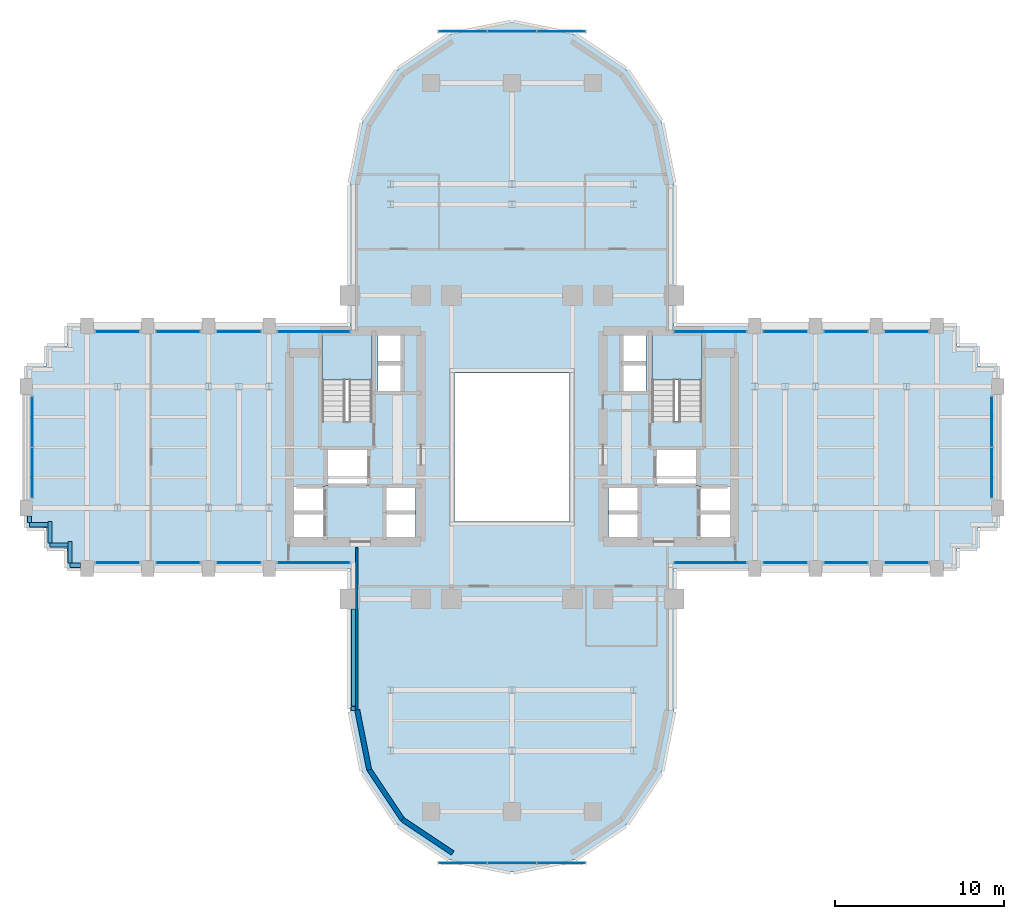
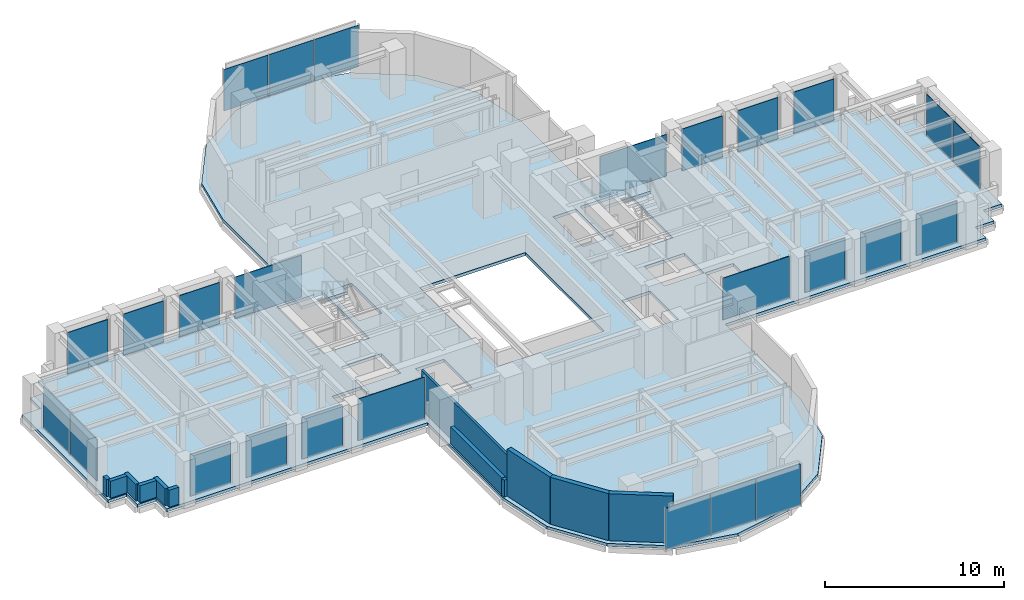
# One storey, part 9 of 16: 26 plates, 12 walls, 3 slabs, 22 elements without a shape of their own.
"""IFC4 building model written with IfcOpenShell, lengths in metres."""

from ifc_helpers import new_model, si_unit, direction, frame, frame_2d, origin, origin_2d, place, context, subcontext, project, spatial, polyline, rectangle, outline, extrude, source, transform, mapped, material, layer, layer_set, type_object, element, aggregate, save


model = new_model("IFC4")

# Units and contexts
model_context = context("Model", 3, precision=1e-05, world=origin(), true_north=direction((0.0, 1.0)))
body_context = subcontext(model_context, "Body", "Model", "MODEL_VIEW")
ifc_project = project(units=[si_unit("LENGTHUNIT", "METRE"), si_unit("AREAUNIT", "SQUARE_METRE"), si_unit("VOLUMEUNIT", "CUBIC_METRE"), si_unit("PLANEANGLEUNIT", "RADIAN"), si_unit("MASSUNIT", "GRAM", prefix="KILO")], contexts=[model_context])

# Site, building, storey
site_placement = place(None, origin())
site = spatial("IfcSite", under=ifc_project, at=site_placement, CompositionType="ELEMENT")
building_placement = place(site_placement, origin())
building = spatial("IfcBuilding", under=site, at=building_placement, Name="Keilestroom Media Tower", CompositionType="ELEMENT")
storey_placement = place(building_placement, frame((0.0, 0.0, 68.0)))
storey = spatial("IfcBuildingStorey", under=building, at=storey_placement, Name="L17", CompositionType="ELEMENT", Elevation=68.0)

# Slab
ifc_material_1 = material(Name="Concrete C50/60", Category="concrete")
ifc_layer_1 = layer(ifc_material_1, 0.199951171875)
ifc_layer_set_1 = layer_set([ifc_layer_1], Name="Concrete C50/60")
slab_type_1 = type_object("IfcSlabType", Name="Composite-Floor-Slab-200", PredefinedType="FLOOR", material=ifc_layer_set_1)
slab_1_placement = place(storey_placement, frame((0.0, 0.0, -0.199951171875)))
element("IfcSlab", 1, at=slab_1_placement, inside=storey, type_object=slab_type_1, Name="L17 Structural Composite Floor Slab", PredefinedType="FLOOR", context=body_context, shape_type="SweptSolid", body=[
    extrude(outline(polyline([(28.800048828125, -4.800048828125), (28.800048828125, 4.800048828125), (27.60009765625, 4.800048828125), (27.60009765625, 6.0), (26.39990234375, 6.0), (26.39990234375, 7.199951171875), (9.60009765625, 7.199951171875), (9.60009765625, 9.60009765625), (9.60009765625, 15.60009765625), (8.869140625, 19.273681640625), (6.7880859375, 22.38818359375), (3.673828125, 24.46923828125), (0.0, 25.199951171875), (-3.673828125, 24.46923828125), (-6.7880859375, 22.38818359375), (-8.869140625, 19.273681640625), (-9.60009765625, 15.60009765625), (-9.60009765625, 9.60009765625), (-9.60009765625, 7.199951171875), (-26.39990234375, 7.199951171875), (-26.39990234375, 6.0), (-27.60009765625, 6.0), (-27.60009765625, 4.800048828125), (-28.800048828125, 4.800048828125), (-28.800048828125, -4.800048828125), (-27.60009765625, -4.800048828125), (-27.60009765625, -6.0), (-26.39990234375, -6.0), (-26.39990234375, -7.199951171875), (-9.60009765625, -7.199951171875), (-9.60009765625, -9.60009765625), (-9.60009765625, -15.60009765625), (-8.869140625, -19.273681640625), (-6.7880859375, -22.38818359375), (-3.673828125, -24.46923828125), (0.0, -25.199951171875), (3.673828125, -24.46923828125), (6.7880859375, -22.38818359375), (8.869140625, -19.273681640625), (9.60009765625, -15.60009765625), (9.60009765625, -9.60009765625), (9.60009765625, -7.199951171875), (26.39990234375, -7.199951171875), (26.39990234375, -6.0), (27.60009765625, -6.0), (27.60009765625, -4.800048828125), (28.800048828125, -4.800048828125)]), holes=[polyline([(-12.919921875, -5.47998046875), (-12.919921875, -2.320068359375), (-11.080078125, -2.320068359375), (-11.080078125, -5.47998046875), (-12.919921875, -5.47998046875)]), polyline([(-11.260009765625, 1.544921875), (-11.260009765625, 6.760009765625), (-8.300048828125, 6.760009765625), (-8.300048828125, 1.544921875), (-11.260009765625, 1.544921875)]), polyline([(-11.050048828125, -2.280029296875), (-11.050048828125, -0.10009765625), (-8.47998046875, -0.10009765625), (-8.47998046875, -2.280029296875), (-11.050048828125, -2.280029296875)]), polyline([(-7.949951171875, 3.300048828125), (-7.949951171875, 6.64990234375), (-6.47998046875, 6.64990234375), (-6.47998046875, 3.300048828125), (-7.949951171875, 3.300048828125)]), polyline([(-7.56005859375, -5.47998046875), (-7.56005859375, -2.320068359375), (-5.719970703125, -2.320068359375), (-5.719970703125, -5.47998046875), (-7.56005859375, -5.47998046875)]), polyline([(-3.39990234375, -4.39990234375), (-3.39990234375, 4.39990234375), (3.39990234375, 4.39990234375), (3.39990234375, -4.39990234375), (-3.39990234375, -4.39990234375)]), polyline([(5.719970703125, -5.47998046875), (5.719970703125, -2.320068359375), (7.56005859375, -2.320068359375), (7.56005859375, -5.47998046875), (5.719970703125, -5.47998046875)]), polyline([(7.949951171875, 6.64990234375), (7.949951171875, 3.300048828125), (6.47998046875, 3.300048828125), (6.47998046875, 6.64990234375), (7.949951171875, 6.64990234375)]), polyline([(8.300048828125, 6.760009765625), (11.260009765625, 6.760009765625), (11.260009765625, 1.544921875), (8.300048828125, 1.544921875), (8.300048828125, 6.760009765625)]), polyline([(8.47998046875, -2.280029296875), (8.47998046875, -0.10009765625), (11.050048828125, -0.10009765625), (11.050048828125, -2.280029296875), (8.47998046875, -2.280029296875)]), polyline([(12.919921875, -5.47998046875), (11.080078125, -5.47998046875), (11.080078125, -2.320068359375), (12.919921875, -2.320068359375), (12.919921875, -5.47998046875)])]), origin(), (0.0, 0.0, 1.0), 0.199951171875),
])

# Stair, slab
ifc_material_2 = material(Name="Concrete C45/55", Category="concrete")
stair_type = type_object("IfcStairType", Name="Enclosed-Dog-Leg-Stair-ST-CORE", PredefinedType="HALF_TURN_STAIR", material=ifc_material_2)
stair_1_placement = place(storey_placement, origin())
stair_1 = element("IfcStair", 2, at=stair_1_placement, inside=storey, type_object=stair_type, Name="L17 West Core Escape Stair ST-1", PredefinedType="HALF_TURN_STAIR")
ifc_layer_2 = layer(ifc_material_2, 0.199951171875)
ifc_layer_set_2 = layer_set([ifc_layer_2], Name="Concrete C45/55")
slab_type_2 = type_object("IfcSlabType", Name="Stair-Intermediate-And-Top-Landing-Slab-200", PredefinedType="LANDING", material=ifc_layer_set_2)
slab_2_placement = place(storey_placement, frame((0.0, 0.0, 1.5)))
slab_2 = element("IfcSlab", 3, at=slab_2_placement, type_object=slab_type_2, Name="ST-1 landing 1", PredefinedType="LANDING", context=body_context, shape_type="SweptSolid", body=[
    extrude(outline(polyline([(-8.300048828125, 3.99609375), (-8.300048828125, 6.760009765625), (-11.260009765625, 6.760009765625), (-11.260009765625, 3.99609375), (-8.300048828125, 3.99609375)])), origin(), (0.0, 0.0, 1.0), 0.199951171875),
])
aggregate(stair_1, [slab_2])

stair_2_placement = place(storey_placement, origin())
stair_2 = element("IfcStair", 4, at=stair_2_placement, inside=storey, type_object=stair_type, Name="L17 East Core Escape Stair ST-2", PredefinedType="HALF_TURN_STAIR")
slab_3_placement = place(storey_placement, frame((0.0, 0.0, 1.5)))
slab_3 = element("IfcSlab", 5, at=slab_3_placement, type_object=slab_type_2, Name="ST-2 landing 1", PredefinedType="LANDING", context=body_context, shape_type="SweptSolid", body=[
    extrude(outline(polyline([(11.260009765625, 3.99609375), (11.260009765625, 6.760009765625), (8.300048828125, 6.760009765625), (8.300048828125, 3.99609375), (11.260009765625, 3.99609375)])), origin(), (0.0, 0.0, 1.0), 0.199951171875),
])
aggregate(stair_2, [slab_3])

# Curtain wall, plates
ifc_material_3 = material(Name="Anodised Aluminium Alloy", Category="aluminium")
curtain_wall_type_1 = type_object("IfcCurtainWallType", Name="Unitised-Curtain-Wall-CW-1", PredefinedType="NOTDEFINED", material=ifc_material_3)
curtain_wall_1_placement = place(storey_placement, origin())
curtain_wall_1 = element("IfcCurtainWall", 6, at=curtain_wall_1_placement, inside=storey, type_object=curtain_wall_type_1, Name="L17 Curtain Wall CW-1 CW-L17-W-1", PredefinedType="NOTDEFINED")
ifc_material_4 = material(Name="Double Glazed Low-E Unit", Category="glass")
ifc_layer_3 = layer(ifc_material_4, 0.0439453125)
ifc_layer_set_3 = layer_set([ifc_layer_3], Name="Double Glazed Low-E Unit")
plate_type_1 = type_object("IfcPlateType", Name="Insulated-Curtain-Wall-Glazing-Panel-CW-1", PredefinedType="CURTAIN_PANEL", material=ifc_layer_set_3)
shared_shape_1 = source(origin(), body_context, "Body", "SweptSolid", [
    extrude(rectangle(XDim=2.968017578125, YDim=0.0439453125, at=origin_2d()), origin(), (0.0, 0.0, 1.0), 2.833984375),
])
plate_1_placement = place(storey_placement, frame((-28.449951171875, -1.514892578125, 0.072998046875), z_axis=(0.0, 0.0, 1.0), x_axis=(0.0, 1.0, 0.0)))
plate_1 = element("IfcPlate", 7, at=plate_1_placement, type_object=plate_type_1, Name="CW-1 Unitised Glazing 00", PredefinedType="CURTAIN_PANEL", context=body_context, shape_type="MappedRepresentation", body=[
    mapped(shared_shape_1, transform((0.0, 0.0, 0.0), x_axis=(1.0, 0.0, 0.0), y_axis=(0.0, 1.0, 0.0), z_axis=(0.0, 0.0, 1.0), scale=1.0)),
])
plate_2_placement = place(storey_placement, frame((-28.449951171875, 1.514892578125, 0.072998046875), z_axis=(0.0, 0.0, 1.0), x_axis=(0.0, 1.0, 0.0)))
plate_2 = element("IfcPlate", 8, at=plate_2_placement, type_object=plate_type_1, Name="CW-1 Unitised Glazing 01", PredefinedType="CURTAIN_PANEL", context=body_context, shape_type="MappedRepresentation", body=[
    mapped(shared_shape_1, transform((0.0, 0.0, 0.0), x_axis=(1.0, 0.0, 0.0), y_axis=(0.0, 1.0, 0.0), z_axis=(0.0, 0.0, 1.0), scale=1.0)),
])
aggregate(curtain_wall_1, [plate_1, plate_2])

curtain_wall_2_placement = place(storey_placement, origin())
curtain_wall_2 = element("IfcCurtainWall", 9, at=curtain_wall_2_placement, inside=storey, type_object=curtain_wall_type_1, Name="L17 Curtain Wall CW-1 CW-L17-E-1", PredefinedType="NOTDEFINED")
plate_3_placement = place(storey_placement, frame((28.449951171875, -1.514892578125, 0.072998046875), z_axis=(0.0, 0.0, 1.0), x_axis=(0.0, 1.0, 0.0)))
plate_3 = element("IfcPlate", 10, at=plate_3_placement, type_object=plate_type_1, Name="CW-1 Unitised Glazing 00", PredefinedType="CURTAIN_PANEL", context=body_context, shape_type="MappedRepresentation", body=[
    mapped(shared_shape_1, transform((0.0, 0.0, 0.0), x_axis=(1.0, 0.0, 0.0), y_axis=(0.0, 1.0, 0.0), z_axis=(0.0, 0.0, 1.0), scale=1.0)),
])
plate_4_placement = place(storey_placement, frame((28.449951171875, 1.514892578125, 0.072998046875), z_axis=(0.0, 0.0, 1.0), x_axis=(0.0, 1.0, 0.0)))
plate_4 = element("IfcPlate", 11, at=plate_4_placement, type_object=plate_type_1, Name="CW-1 Unitised Glazing 01", PredefinedType="CURTAIN_PANEL", context=body_context, shape_type="MappedRepresentation", body=[
    mapped(shared_shape_1, transform((0.0, 0.0, 0.0), x_axis=(1.0, 0.0, 0.0), y_axis=(0.0, 1.0, 0.0), z_axis=(0.0, 0.0, 1.0), scale=1.0)),
])
aggregate(curtain_wall_2, [plate_3, plate_4])

# Curtain wall, plate
curtain_wall_3_placement = place(storey_placement, origin())
curtain_wall_3 = element("IfcCurtainWall", 12, at=curtain_wall_3_placement, inside=storey, type_object=curtain_wall_type_1, Name="L17 Curtain Wall CW-1 CW-L17-NW-1", PredefinedType="NOTDEFINED")
shared_shape_2 = source(origin(), body_context, "Body", "SweptSolid", [
    extrude(rectangle(XDim=2.597900390625, YDim=0.0439453125, at=origin_2d()), origin(), (0.0, 0.0, 1.0), 2.833984375),
])
plate_5_placement = place(storey_placement, frame((-23.39990234375, 6.85009765625, 0.072998046875), z_axis=(0.0, 0.0, 1.0), x_axis=(1.0, 0.0, 0.0)))
plate_5 = element("IfcPlate", 13, at=plate_5_placement, type_object=plate_type_1, Name="CW-1 Unitised Glazing 00", PredefinedType="CURTAIN_PANEL", context=body_context, shape_type="MappedRepresentation", body=[
    mapped(shared_shape_2, transform((0.0, 0.0, 0.0), x_axis=(1.0, 0.0, 0.0), y_axis=(0.0, 1.0, 0.0), z_axis=(0.0, 0.0, 1.0), scale=1.0)),
])
aggregate(curtain_wall_3, [plate_5])

curtain_wall_4_placement = place(storey_placement, origin())
curtain_wall_4 = element("IfcCurtainWall", 14, at=curtain_wall_4_placement, inside=storey, type_object=curtain_wall_type_1, Name="L17 Curtain Wall CW-1 CW-L17-NW-2", PredefinedType="NOTDEFINED")
plate_6_placement = place(storey_placement, frame((-19.800048828125, 6.85009765625, 0.072998046875), z_axis=(0.0, 0.0, 1.0), x_axis=(1.0, 0.0, 0.0)))
plate_6 = element("IfcPlate", 15, at=plate_6_placement, type_object=plate_type_1, Name="CW-1 Unitised Glazing 00", PredefinedType="CURTAIN_PANEL", context=body_context, shape_type="MappedRepresentation", body=[
    mapped(shared_shape_2, transform((0.0, 0.0, 0.0), x_axis=(1.0, 0.0, 0.0), y_axis=(0.0, 1.0, 0.0), z_axis=(0.0, 0.0, 1.0), scale=1.0)),
])
aggregate(curtain_wall_4, [plate_6])

curtain_wall_5_placement = place(storey_placement, origin())
curtain_wall_5 = element("IfcCurtainWall", 16, at=curtain_wall_5_placement, inside=storey, type_object=curtain_wall_type_1, Name="L17 Curtain Wall CW-1 CW-L17-NW-3", PredefinedType="NOTDEFINED")
plate_7_placement = place(storey_placement, frame((-16.199951171875, 6.85009765625, 0.072998046875), z_axis=(0.0, 0.0, 1.0), x_axis=(1.0, 0.0, 0.0)))
plate_7 = element("IfcPlate", 17, at=plate_7_placement, type_object=plate_type_1, Name="CW-1 Unitised Glazing 00", PredefinedType="CURTAIN_PANEL", context=body_context, shape_type="MappedRepresentation", body=[
    mapped(shared_shape_2, transform((0.0, 0.0, 0.0), x_axis=(1.0, 0.0, 0.0), y_axis=(0.0, 1.0, 0.0), z_axis=(0.0, 0.0, 1.0), scale=1.0)),
])
aggregate(curtain_wall_5, [plate_7])

curtain_wall_6_placement = place(storey_placement, origin())
curtain_wall_6 = element("IfcCurtainWall", 18, at=curtain_wall_6_placement, inside=storey, type_object=curtain_wall_type_1, Name="L17 Curtain Wall CW-1 CW-L17-NE-2", PredefinedType="NOTDEFINED")
plate_8_placement = place(storey_placement, frame((16.199951171875, 6.85009765625, 0.072998046875), z_axis=(0.0, 0.0, 1.0), x_axis=(1.0, 0.0, 0.0)))
plate_8 = element("IfcPlate", 19, at=plate_8_placement, type_object=plate_type_1, Name="CW-1 Unitised Glazing 00", PredefinedType="CURTAIN_PANEL", context=body_context, shape_type="MappedRepresentation", body=[
    mapped(shared_shape_2, transform((0.0, 0.0, 0.0), x_axis=(1.0, 0.0, 0.0), y_axis=(0.0, 1.0, 0.0), z_axis=(0.0, 0.0, 1.0), scale=1.0)),
])
aggregate(curtain_wall_6, [plate_8])

curtain_wall_7_placement = place(storey_placement, origin())
curtain_wall_7 = element("IfcCurtainWall", 20, at=curtain_wall_7_placement, inside=storey, type_object=curtain_wall_type_1, Name="L17 Curtain Wall CW-1 CW-L17-NE-3", PredefinedType="NOTDEFINED")
plate_9_placement = place(storey_placement, frame((19.800048828125, 6.85009765625, 0.072998046875), z_axis=(0.0, 0.0, 1.0), x_axis=(1.0, 0.0, 0.0)))
plate_9 = element("IfcPlate", 21, at=plate_9_placement, type_object=plate_type_1, Name="CW-1 Unitised Glazing 00", PredefinedType="CURTAIN_PANEL", context=body_context, shape_type="MappedRepresentation", body=[
    mapped(shared_shape_2, transform((0.0, 0.0, 0.0), x_axis=(1.0, 0.0, 0.0), y_axis=(0.0, 1.0, 0.0), z_axis=(0.0, 0.0, 1.0), scale=1.0)),
])
aggregate(curtain_wall_7, [plate_9])

curtain_wall_8_placement = place(storey_placement, origin())
curtain_wall_8 = element("IfcCurtainWall", 22, at=curtain_wall_8_placement, inside=storey, type_object=curtain_wall_type_1, Name="L17 Curtain Wall CW-1 CW-L17-NE-4", PredefinedType="NOTDEFINED")
plate_10_placement = place(storey_placement, frame((23.39990234375, 6.85009765625, 0.072998046875), z_axis=(0.0, 0.0, 1.0), x_axis=(1.0, 0.0, 0.0)))
plate_10 = element("IfcPlate", 23, at=plate_10_placement, type_object=plate_type_1, Name="CW-1 Unitised Glazing 00", PredefinedType="CURTAIN_PANEL", context=body_context, shape_type="MappedRepresentation", body=[
    mapped(shared_shape_2, transform((0.0, 0.0, 0.0), x_axis=(1.0, 0.0, 0.0), y_axis=(0.0, 1.0, 0.0), z_axis=(0.0, 0.0, 1.0), scale=1.0)),
])
aggregate(curtain_wall_8, [plate_10])

curtain_wall_9_placement = place(storey_placement, origin())
curtain_wall_9 = element("IfcCurtainWall", 24, at=curtain_wall_9_placement, inside=storey, type_object=curtain_wall_type_1, Name="L17 Curtain Wall CW-1 CW-L17-SW-1", PredefinedType="NOTDEFINED")
plate_11_placement = place(storey_placement, frame((-23.39990234375, -6.85009765625, 0.072998046875), z_axis=(0.0, 0.0, 1.0), x_axis=(1.0, 0.0, 0.0)))
plate_11 = element("IfcPlate", 25, at=plate_11_placement, type_object=plate_type_1, Name="CW-1 Unitised Glazing 00", PredefinedType="CURTAIN_PANEL", context=body_context, shape_type="MappedRepresentation", body=[
    mapped(shared_shape_2, transform((0.0, 0.0, 0.0), x_axis=(1.0, 0.0, 0.0), y_axis=(0.0, 1.0, 0.0), z_axis=(0.0, 0.0, 1.0), scale=1.0)),
])
aggregate(curtain_wall_9, [plate_11])

curtain_wall_10_placement = place(storey_placement, origin())
curtain_wall_10 = element("IfcCurtainWall", 26, at=curtain_wall_10_placement, inside=storey, type_object=curtain_wall_type_1, Name="L17 Curtain Wall CW-1 CW-L17-SW-2", PredefinedType="NOTDEFINED")
plate_12_placement = place(storey_placement, frame((-19.800048828125, -6.85009765625, 0.072998046875), z_axis=(0.0, 0.0, 1.0), x_axis=(1.0, 0.0, 0.0)))
plate_12 = element("IfcPlate", 27, at=plate_12_placement, type_object=plate_type_1, Name="CW-1 Unitised Glazing 00", PredefinedType="CURTAIN_PANEL", context=body_context, shape_type="MappedRepresentation", body=[
    mapped(shared_shape_2, transform((0.0, 0.0, 0.0), x_axis=(1.0, 0.0, 0.0), y_axis=(0.0, 1.0, 0.0), z_axis=(0.0, 0.0, 1.0), scale=1.0)),
])
aggregate(curtain_wall_10, [plate_12])

curtain_wall_11_placement = place(storey_placement, origin())
curtain_wall_11 = element("IfcCurtainWall", 28, at=curtain_wall_11_placement, inside=storey, type_object=curtain_wall_type_1, Name="L17 Curtain Wall CW-1 CW-L17-SW-3", PredefinedType="NOTDEFINED")
plate_13_placement = place(storey_placement, frame((-16.199951171875, -6.85009765625, 0.072998046875), z_axis=(0.0, 0.0, 1.0), x_axis=(1.0, 0.0, 0.0)))
plate_13 = element("IfcPlate", 29, at=plate_13_placement, type_object=plate_type_1, Name="CW-1 Unitised Glazing 00", PredefinedType="CURTAIN_PANEL", context=body_context, shape_type="MappedRepresentation", body=[
    mapped(shared_shape_2, transform((0.0, 0.0, 0.0), x_axis=(1.0, 0.0, 0.0), y_axis=(0.0, 1.0, 0.0), z_axis=(0.0, 0.0, 1.0), scale=1.0)),
])
aggregate(curtain_wall_11, [plate_13])

curtain_wall_12_placement = place(storey_placement, origin())
curtain_wall_12 = element("IfcCurtainWall", 30, at=curtain_wall_12_placement, inside=storey, type_object=curtain_wall_type_1, Name="L17 Curtain Wall CW-1 CW-L17-SE-2", PredefinedType="NOTDEFINED")
plate_14_placement = place(storey_placement, frame((16.199951171875, -6.85009765625, 0.072998046875), z_axis=(0.0, 0.0, 1.0), x_axis=(1.0, 0.0, 0.0)))
plate_14 = element("IfcPlate", 31, at=plate_14_placement, type_object=plate_type_1, Name="CW-1 Unitised Glazing 00", PredefinedType="CURTAIN_PANEL", context=body_context, shape_type="MappedRepresentation", body=[
    mapped(shared_shape_2, transform((0.0, 0.0, 0.0), x_axis=(1.0, 0.0, 0.0), y_axis=(0.0, 1.0, 0.0), z_axis=(0.0, 0.0, 1.0), scale=1.0)),
])
aggregate(curtain_wall_12, [plate_14])

curtain_wall_13_placement = place(storey_placement, origin())
curtain_wall_13 = element("IfcCurtainWall", 32, at=curtain_wall_13_placement, inside=storey, type_object=curtain_wall_type_1, Name="L17 Curtain Wall CW-1 CW-L17-SE-3", PredefinedType="NOTDEFINED")
plate_15_placement = place(storey_placement, frame((19.800048828125, -6.85009765625, 0.072998046875), z_axis=(0.0, 0.0, 1.0), x_axis=(1.0, 0.0, 0.0)))
plate_15 = element("IfcPlate", 33, at=plate_15_placement, type_object=plate_type_1, Name="CW-1 Unitised Glazing 00", PredefinedType="CURTAIN_PANEL", context=body_context, shape_type="MappedRepresentation", body=[
    mapped(shared_shape_2, transform((0.0, 0.0, 0.0), x_axis=(1.0, 0.0, 0.0), y_axis=(0.0, 1.0, 0.0), z_axis=(0.0, 0.0, 1.0), scale=1.0)),
])
aggregate(curtain_wall_13, [plate_15])

curtain_wall_14_placement = place(storey_placement, origin())
curtain_wall_14 = element("IfcCurtainWall", 34, at=curtain_wall_14_placement, inside=storey, type_object=curtain_wall_type_1, Name="L17 Curtain Wall CW-1 CW-L17-SE-4", PredefinedType="NOTDEFINED")
plate_16_placement = place(storey_placement, frame((23.39990234375, -6.85009765625, 0.072998046875), z_axis=(0.0, 0.0, 1.0), x_axis=(1.0, 0.0, 0.0)))
plate_16 = element("IfcPlate", 35, at=plate_16_placement, type_object=plate_type_1, Name="CW-1 Unitised Glazing 00", PredefinedType="CURTAIN_PANEL", context=body_context, shape_type="MappedRepresentation", body=[
    mapped(shared_shape_2, transform((0.0, 0.0, 0.0), x_axis=(1.0, 0.0, 0.0), y_axis=(0.0, 1.0, 0.0), z_axis=(0.0, 0.0, 1.0), scale=1.0)),
])
aggregate(curtain_wall_14, [plate_16])

curtain_wall_15_placement = place(storey_placement, origin())
curtain_wall_15 = element("IfcCurtainWall", 36, at=curtain_wall_15_placement, inside=storey, type_object=curtain_wall_type_1, Name="L17 Curtain Wall CW-1 CW-L17-NW-4", PredefinedType="NOTDEFINED")
shared_shape_3 = source(origin(), body_context, "Body", "SweptSolid", [
    extrude(rectangle(XDim=4.282958984375, YDim=0.0439453125, at=origin_2d()), origin(), (0.0, 0.0, 1.0), 2.833984375),
])
plate_17_placement = place(storey_placement, frame((-11.757568359375, 6.85009765625, 0.072998046875), z_axis=(0.0, 0.0, 1.0), x_axis=(1.0, 0.0, 0.0)))
plate_17 = element("IfcPlate", 37, at=plate_17_placement, type_object=plate_type_1, Name="CW-1 Unitised Glazing 00", PredefinedType="CURTAIN_PANEL", context=body_context, shape_type="MappedRepresentation", body=[
    mapped(shared_shape_3, transform((0.0, 0.0, 0.0), x_axis=(1.0, 0.0, 0.0), y_axis=(0.0, 1.0, 0.0), z_axis=(0.0, 0.0, 1.0), scale=1.0)),
])
aggregate(curtain_wall_15, [plate_17])

curtain_wall_16_placement = place(storey_placement, origin())
curtain_wall_16 = element("IfcCurtainWall", 38, at=curtain_wall_16_placement, inside=storey, type_object=curtain_wall_type_1, Name="L17 Curtain Wall CW-1 CW-L17-NE-1", PredefinedType="NOTDEFINED")
plate_18_placement = place(storey_placement, frame((11.757568359375, 6.85009765625, 0.072998046875), z_axis=(0.0, 0.0, 1.0), x_axis=(1.0, 0.0, 0.0)))
plate_18 = element("IfcPlate", 39, at=plate_18_placement, type_object=plate_type_1, Name="CW-1 Unitised Glazing 00", PredefinedType="CURTAIN_PANEL", context=body_context, shape_type="MappedRepresentation", body=[
    mapped(shared_shape_3, transform((0.0, 0.0, 0.0), x_axis=(1.0, 0.0, 0.0), y_axis=(0.0, 1.0, 0.0), z_axis=(0.0, 0.0, 1.0), scale=1.0)),
])
aggregate(curtain_wall_16, [plate_18])

curtain_wall_17_placement = place(storey_placement, origin())
curtain_wall_17 = element("IfcCurtainWall", 40, at=curtain_wall_17_placement, inside=storey, type_object=curtain_wall_type_1, Name="L17 Curtain Wall CW-1 CW-L17-SW-4", PredefinedType="NOTDEFINED")
plate_19_placement = place(storey_placement, frame((-11.757568359375, -6.85009765625, 0.072998046875), z_axis=(0.0, 0.0, 1.0), x_axis=(1.0, 0.0, 0.0)))
plate_19 = element("IfcPlate", 41, at=plate_19_placement, type_object=plate_type_1, Name="CW-1 Unitised Glazing 00", PredefinedType="CURTAIN_PANEL", context=body_context, shape_type="MappedRepresentation", body=[
    mapped(shared_shape_3, transform((0.0, 0.0, 0.0), x_axis=(1.0, 0.0, 0.0), y_axis=(0.0, 1.0, 0.0), z_axis=(0.0, 0.0, 1.0), scale=1.0)),
])
aggregate(curtain_wall_17, [plate_19])

curtain_wall_18_placement = place(storey_placement, origin())
curtain_wall_18 = element("IfcCurtainWall", 42, at=curtain_wall_18_placement, inside=storey, type_object=curtain_wall_type_1, Name="L17 Curtain Wall CW-1 CW-L17-SE-1", PredefinedType="NOTDEFINED")
plate_20_placement = place(storey_placement, frame((11.757568359375, -6.85009765625, 0.072998046875), z_axis=(0.0, 0.0, 1.0), x_axis=(1.0, 0.0, 0.0)))
plate_20 = element("IfcPlate", 43, at=plate_20_placement, type_object=plate_type_1, Name="CW-1 Unitised Glazing 00", PredefinedType="CURTAIN_PANEL", context=body_context, shape_type="MappedRepresentation", body=[
    mapped(shared_shape_3, transform((0.0, 0.0, 0.0), x_axis=(1.0, 0.0, 0.0), y_axis=(0.0, 1.0, 0.0), z_axis=(0.0, 0.0, 1.0), scale=1.0)),
])
aggregate(curtain_wall_18, [plate_20])

# Curtain wall, plates
curtain_wall_type_2 = type_object("IfcCurtainWallType", Name="Unitised-Curtain-Wall-CW-6", PredefinedType="NOTDEFINED", material=ifc_material_3)
curtain_wall_19_placement = place(storey_placement, origin())
curtain_wall_19 = element("IfcCurtainWall", 44, at=curtain_wall_19_placement, inside=storey, type_object=curtain_wall_type_2, Name="L17 Curtain Wall CW-6 CW-L17-LN-1", PredefinedType="NOTDEFINED")
ifc_material_5 = material(Name="Curved-Facet Triple Glazed Unit", Category="glass")
ifc_layer_4 = layer(ifc_material_5, 0.033935546875)
ifc_layer_set_4 = layer_set([ifc_layer_4], Name="Curved-Facet Triple Glazed Unit")
plate_type_2 = type_object("IfcPlateType", Name="Insulated-Curtain-Wall-Glazing-Panel-CW-6", PredefinedType="CURTAIN_PANEL", material=ifc_layer_set_4)
shared_shape_4 = source(origin(), body_context, "Body", "SweptSolid", [
    extrude(rectangle(XDim=2.84375, YDim=0.033935546875, at=origin_2d()), origin(), (0.0, 0.0, 1.0), 2.833984375),
])
plate_21_placement = place(storey_placement, frame((-2.9169921875, 24.64990234375, 0.072998046875), z_axis=(0.0, 0.0, 1.0), x_axis=(1.0, 0.0, 0.0)))
plate_21 = element("IfcPlate", 45, at=plate_21_placement, type_object=plate_type_2, Name="CW-6 Unitised Glazing 00", PredefinedType="CURTAIN_PANEL", context=body_context, shape_type="MappedRepresentation", body=[
    mapped(shared_shape_4, transform((0.0, 0.0, 0.0), x_axis=(1.0, 0.0, 0.0), y_axis=(0.0, 1.0, 0.0), z_axis=(0.0, 0.0, 1.0), scale=1.0)),
])
plate_22_placement = place(storey_placement, frame((2.9169921875, 24.64990234375, 0.072998046875), z_axis=(0.0, 0.0, 1.0), x_axis=(1.0, 0.0, 0.0)))
plate_22 = element("IfcPlate", 46, at=plate_22_placement, type_object=plate_type_2, Name="CW-6 Unitised Glazing 02", PredefinedType="CURTAIN_PANEL", context=body_context, shape_type="MappedRepresentation", body=[
    mapped(shared_shape_4, transform((0.0, 0.0, 0.0), x_axis=(1.0, 0.0, 0.0), y_axis=(0.0, 1.0, 0.0), z_axis=(0.0, 0.0, 1.0), scale=1.0)),
])

curtain_wall_20_placement = place(storey_placement, origin())
curtain_wall_20 = element("IfcCurtainWall", 47, at=curtain_wall_20_placement, inside=storey, type_object=curtain_wall_type_2, Name="L17 Curtain Wall CW-6 CW-L17-LS-1", PredefinedType="NOTDEFINED")
plate_23_placement = place(storey_placement, frame((-2.9169921875, -24.64990234375, 0.072998046875), z_axis=(0.0, 0.0, 1.0), x_axis=(1.0, 0.0, 0.0)))
plate_23 = element("IfcPlate", 48, at=plate_23_placement, type_object=plate_type_2, Name="CW-6 Unitised Glazing 00", PredefinedType="CURTAIN_PANEL", context=body_context, shape_type="MappedRepresentation", body=[
    mapped(shared_shape_4, transform((0.0, 0.0, 0.0), x_axis=(1.0, 0.0, 0.0), y_axis=(0.0, 1.0, 0.0), z_axis=(0.0, 0.0, 1.0), scale=1.0)),
])
plate_24_placement = place(storey_placement, frame((2.9169921875, -24.64990234375, 0.072998046875), z_axis=(0.0, 0.0, 1.0), x_axis=(1.0, 0.0, 0.0)))
plate_24 = element("IfcPlate", 49, at=plate_24_placement, type_object=plate_type_2, Name="CW-6 Unitised Glazing 02", PredefinedType="CURTAIN_PANEL", context=body_context, shape_type="MappedRepresentation", body=[
    mapped(shared_shape_4, transform((0.0, 0.0, 0.0), x_axis=(1.0, 0.0, 0.0), y_axis=(0.0, 1.0, 0.0), z_axis=(0.0, 0.0, 1.0), scale=1.0)),
])

# Plate
shared_shape_5 = source(origin(), body_context, "Body", "SweptSolid", [
    extrude(rectangle(XDim=2.876220703125, YDim=0.033935546875, at=origin_2d()), origin(), (0.0, 0.0, 1.0), 2.833984375),
])
plate_25_placement = place(storey_placement, frame((0.0, 24.64990234375, 0.072998046875), z_axis=(0.0, 0.0, 1.0), x_axis=(1.0, 0.0, 0.0)))
plate_25 = element("IfcPlate", 50, at=plate_25_placement, type_object=plate_type_2, Name="CW-6 Unitised Glazing 01", PredefinedType="CURTAIN_PANEL", context=body_context, shape_type="MappedRepresentation", body=[
    mapped(shared_shape_5, transform((0.0, 0.0, 0.0), x_axis=(1.0, 0.0, 0.0), y_axis=(0.0, 1.0, 0.0), z_axis=(0.0, 0.0, 1.0), scale=1.0)),
])

aggregate(curtain_wall_19, [plate_21, plate_25, plate_22])

plate_26_placement = place(storey_placement, frame((0.0, -24.64990234375, 0.072998046875), z_axis=(0.0, 0.0, 1.0), x_axis=(1.0, 0.0, 0.0)))
plate_26 = element("IfcPlate", 51, at=plate_26_placement, type_object=plate_type_2, Name="CW-6 Unitised Glazing 01", PredefinedType="CURTAIN_PANEL", context=body_context, shape_type="MappedRepresentation", body=[
    mapped(shared_shape_5, transform((0.0, 0.0, 0.0), x_axis=(1.0, 0.0, 0.0), y_axis=(0.0, 1.0, 0.0), z_axis=(0.0, 0.0, 1.0), scale=1.0)),
])

aggregate(curtain_wall_20, [plate_23, plate_26, plate_24])

# Walls
ifc_material_6 = material(Name="Precast concrete C40/50", Category="concrete")
ifc_layer_5 = layer(ifc_material_6, 0.300048828125)
ifc_layer_set_5 = layer_set([ifc_layer_5], Name="Precast concrete C40/50")
wall_type_1 = type_object("IfcWallType", Name="Exterior-Masonry-Spandrel-Wall-300", PredefinedType="SOLIDWALL", material=ifc_layer_set_5)
for number, where, z_axis, x_axis, name in (
    (52, (-9.1748046875, -15.585205078125, 0.0), (0.0, 0.0, 1.0), (0.195114232679, -0.980780523974, 0.0), "L17 Lobe Facet Precast Frame Wall 07"),
    (53, (-8.48193359375, -19.097412109375, 0.0), (0.0, 0.0, 1.0), (0.555574187116, -0.831466970246, 0.0), "L17 Lobe Facet Precast Frame Wall 08"),
):
    element("IfcWall", number, at=place(storey_placement, frame(where, z_axis=z_axis, x_axis=x_axis)), inside=storey, type_object=wall_type_1, Name=name, PredefinedType="SOLIDWALL", context=body_context, shape_type="SweptSolid", body=[
        extrude(rectangle(XDim=3.608642578125, YDim=0.300048828125, at=frame_2d((1.80419921875, 0.0))), origin(), (0.0, 0.0, 1.0), 3.199951171875),
    ])
wall_1_placement = place(storey_placement, frame((-6.497802734375, -22.0771484375, 0.0), z_axis=(0.0, 0.0, 1.0), x_axis=(0.8314749531, -0.555562239868, 0.0)))
element("IfcWall", 54, at=wall_1_placement, inside=storey, type_object=wall_type_1, Name="L17 Lobe Facet Precast Frame Wall 09", PredefinedType="SOLIDWALL", context=body_context, shape_type="SweptSolid", body=[
    extrude(rectangle(XDim=3.59326171875, YDim=0.300048828125, at=frame_2d((1.796630859375, 0.0))), origin(), (0.0, 0.0, 1.0), 3.199951171875),
])
ifc_material_7 = material(Name="Gypsum Plasterboard & Steel Stud", Category="steel")
ifc_layer_6 = layer(ifc_material_7, 0.14990234375)
ifc_layer_set_6 = layer_set([ifc_layer_6], Name="Gypsum Plasterboard & Steel Stud")
wall_type_2 = type_object("IfcWallType", Name="Interior-Partition-Wall-150", PredefinedType="PARTITIONING", material=ifc_layer_set_6)
wall_2_placement = place(storey_placement, frame((-9.199951171875, -15.679931640625, 0.0), z_axis=(0.0, 0.0, 1.0), x_axis=(0.0, 1.0, 0.0)))
element("IfcWall", 55, at=wall_2_placement, inside=storey, type_object=wall_type_2, Name="L17 Interior Wall WP-L17-SL-CHKW", PredefinedType="PARTITIONING", context=body_context, shape_type="SweptSolid", body=[
    extrude(rectangle(XDim=9.739990234375, YDim=0.14990234375, at=frame_2d((4.8701171875, 0.0))), origin(), (0.0, 0.0, 1.0), 2.7099609375),
])
ifc_layer_7 = layer(ifc_material_6, 0.239990234375)
ifc_layer_set_7 = layer_set([ifc_layer_7], Name="Precast concrete C40/50")
wall_type_3 = type_object("IfcWallType", Name="Roof-And-Terrace-Parapet-Wall-240", PredefinedType="PARAPET", material=ifc_layer_set_7)
wall_3_placement = place(storey_placement, frame((-9.395263671875, -15.604248046875, 0.0), z_axis=(0.0, 0.0, 1.0), x_axis=(-0.194652052864, 0.980872355771, 0.0)))
element("IfcWall", 56, at=wall_3_placement, inside=storey, type_object=wall_type_3, Name="L17 Perimeter Edge Parapet Wall 09", PredefinedType="PARAPET", context=body_context, shape_type="SweptSolid", body=[
    extrude(rectangle(XDim=0.224609375, YDim=0.239990234375, at=frame_2d((0.1123046875, 0.0))), origin(), (0.0, 0.0, 1.0), 1.14990234375),
])
wall_4_placement = place(storey_placement, frame((-9.39990234375, -15.357666015625, 0.0), z_axis=(0.0, 0.0, 1.0), x_axis=(0.0, 1.0, 0.0)))
element("IfcWall", 57, at=wall_4_placement, inside=storey, type_object=wall_type_3, Name="L17 Perimeter Edge Parapet Wall 10", PredefinedType="PARAPET", context=body_context, shape_type="SweptSolid", body=[
    extrude(rectangle(XDim=5.754638671875, YDim=0.239990234375, at=frame_2d((2.87744140625, 0.0))), origin(), (0.0, 0.0, 1.0), 1.14990234375),
])
wall_5_placement = place(storey_placement, frame((-25.577880859375, -7.0, 0.0), z_axis=(0.0, 0.0, 1.0), x_axis=(-1.0, 0.0, 0.0)))
element("IfcWall", 58, at=wall_5_placement, inside=storey, type_object=wall_type_3, Name="L17 Perimeter Edge Parapet Wall 12", PredefinedType="PARAPET", context=body_context, shape_type="SweptSolid", body=[
    extrude(rectangle(XDim=0.6220703125, YDim=0.239990234375, at=frame_2d((0.31103515625, 0.0))), origin(), (0.0, 0.0, 1.0), 1.14990234375),
])
wall_6_placement = place(storey_placement, frame((-26.199951171875, -6.876953125, 0.0), z_axis=(0.0, 0.0, 1.0), x_axis=(0.0, 1.0, 0.0)))
element("IfcWall", 59, at=wall_6_placement, inside=storey, type_object=wall_type_3, Name="L17 Perimeter Edge Parapet Wall 13", PredefinedType="PARAPET", context=body_context, shape_type="SweptSolid", body=[
    extrude(rectangle(XDim=1.27685546875, YDim=0.239990234375, at=frame_2d((0.638427734375, 0.0))), origin(), (0.0, 0.0, 1.0), 1.14990234375),
])
wall_7_placement = place(storey_placement, frame((-26.322998046875, -5.800048828125, 0.0), z_axis=(0.0, 0.0, 1.0), x_axis=(-1.0, 0.0, 0.0)))
element("IfcWall", 60, at=wall_7_placement, inside=storey, type_object=wall_type_3, Name="L17 Perimeter Edge Parapet Wall 14", PredefinedType="PARAPET", context=body_context, shape_type="SweptSolid", body=[
    extrude(rectangle(XDim=1.076904296875, YDim=0.239990234375, at=frame_2d((0.53857421875, 0.0))), origin(), (0.0, 0.0, 1.0), 1.14990234375),
])
wall_8_placement = place(storey_placement, frame((-27.39990234375, -5.677001953125, 0.0), z_axis=(0.0, 0.0, 1.0), x_axis=(0.0, 1.0, 0.0)))
element("IfcWall", 61, at=wall_8_placement, inside=storey, type_object=wall_type_3, Name="L17 Perimeter Edge Parapet Wall 15", PredefinedType="PARAPET", context=body_context, shape_type="SweptSolid", body=[
    extrude(rectangle(XDim=1.277099609375, YDim=0.239990234375, at=frame_2d((0.638671875, 0.0))), origin(), (0.0, 0.0, 1.0), 1.14990234375),
])
wall_9_placement = place(storey_placement, frame((-27.52294921875, -4.60009765625, 0.0), z_axis=(0.0, 0.0, 1.0), x_axis=(-1.0, 0.0, 0.0)))
element("IfcWall", 62, at=wall_9_placement, inside=storey, type_object=wall_type_3, Name="L17 Perimeter Edge Parapet Wall 16", PredefinedType="PARAPET", context=body_context, shape_type="SweptSolid", body=[
    extrude(rectangle(XDim=1.0771484375, YDim=0.239990234375, at=frame_2d((0.53857421875, 0.0))), origin(), (0.0, 0.0, 1.0), 1.14990234375),
])
wall_10_placement = place(storey_placement, frame((-28.60009765625, -4.47705078125, 0.0), z_axis=(0.0, 0.0, 1.0), x_axis=(0.0, 1.0, 0.0)))
element("IfcWall", 63, at=wall_10_placement, inside=storey, type_object=wall_type_3, Name="L17 Perimeter Edge Parapet Wall 17", PredefinedType="PARAPET", context=body_context, shape_type="SweptSolid", body=[
    extrude(rectangle(XDim=0.399169921875, YDim=0.239990234375, at=frame_2d((0.19970703125, 0.0))), origin(), (0.0, 0.0, 1.0), 1.14990234375),
])

save(model, "model.ifc")
